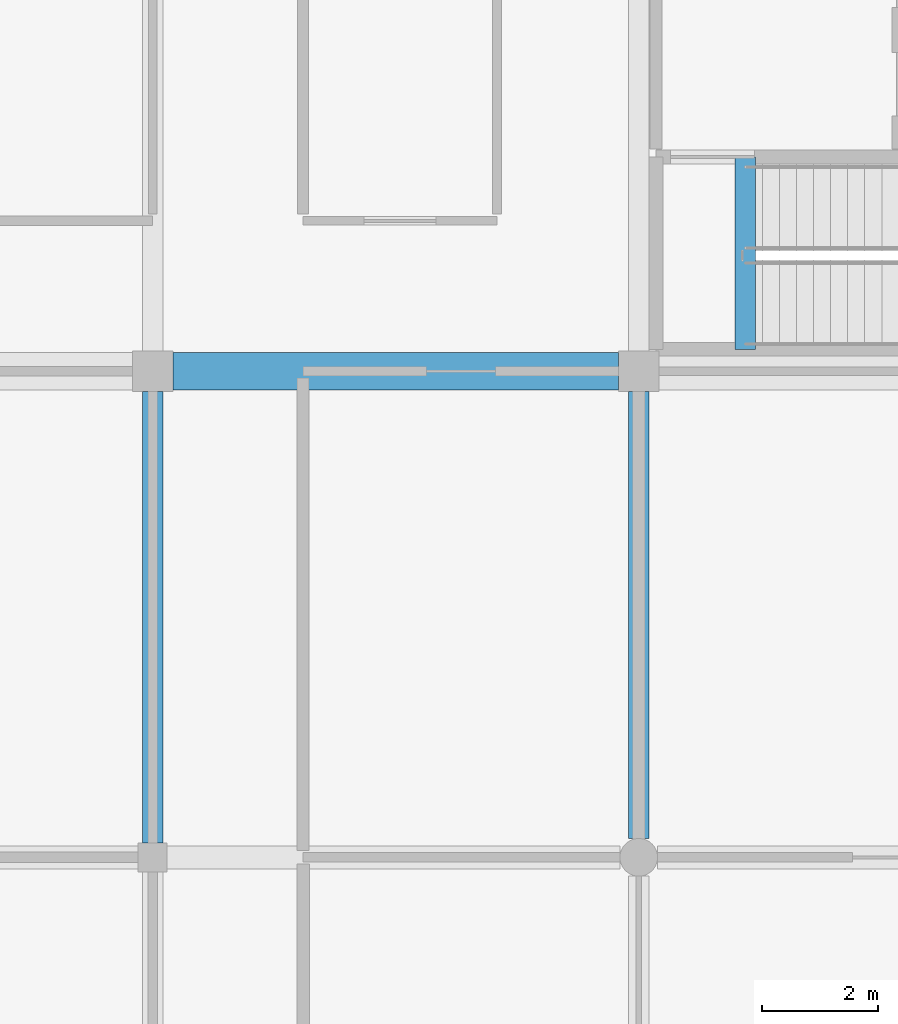
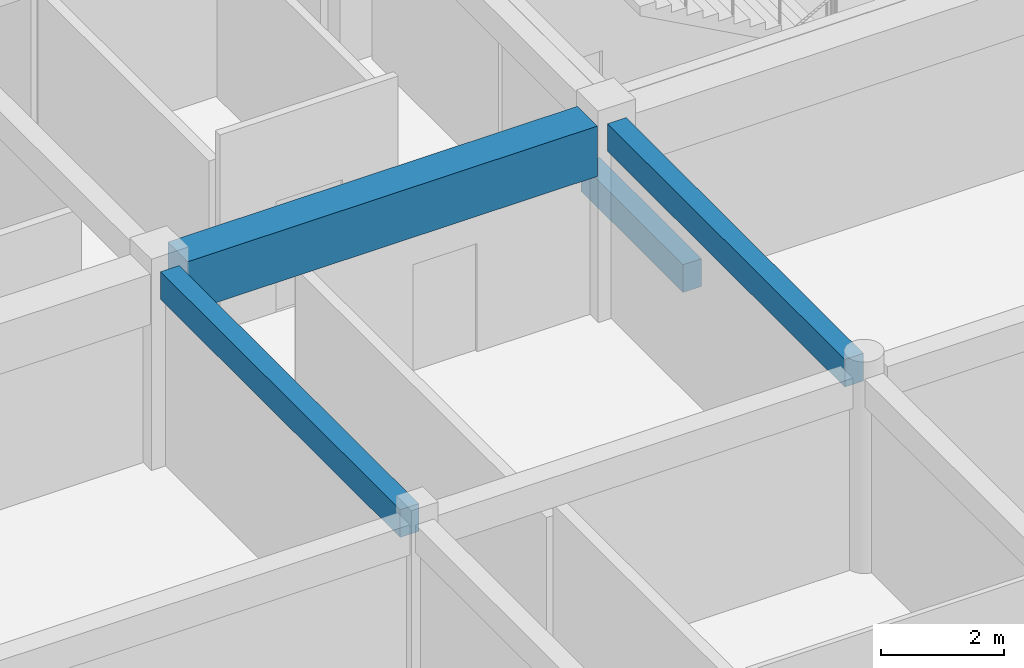
# One storey, part 34 of 119: 4 beams.
"""IFC4 building model written with IfcOpenShell, lengths in metres."""

from ifc_helpers import new_model, si_unit, direction, frame, origin, origin_2d, place, context, subcontext, project, spatial, rectangle, extrude, material, material_profile, profile_set, type_object, element, save


model = new_model("IFC4")

# Units and contexts
model_context = context("Model", 3, precision=1e-05, world=origin(), true_north=direction((0.0, 1.0)))
body_context = subcontext(model_context, "Body", "Model", "MODEL_VIEW")
ifc_project = project(units=[si_unit("LENGTHUNIT", "METRE"), si_unit("AREAUNIT", "SQUARE_METRE"), si_unit("VOLUMEUNIT", "CUBIC_METRE"), si_unit("PLANEANGLEUNIT", "RADIAN"), si_unit("MASSUNIT", "GRAM", prefix="KILO")], contexts=[model_context])

# Site, building, storey
site_placement = place(None, origin())
site = spatial("IfcSite", under=ifc_project, at=site_placement, CompositionType="ELEMENT")
building_placement = place(site_placement, origin())
building = spatial("IfcBuilding", under=site, at=building_placement, Name="Bramfleet General Hospital", CompositionType="ELEMENT")
storey_placement = place(building_placement, frame((0.0, 0.0, 14.39990234375)))
storey = spatial("IfcBuildingStorey", under=building, at=storey_placement, Name="L03", CompositionType="ELEMENT", Elevation=14.39990234375)

# Beams
ifc_material_1 = material(Name="Concrete C35/45", Category="concrete")
ifc_material_profile_1 = material_profile(ifc_material_1, rectangle(XDim=0.35009765625, YDim=0.550048828125, at=origin_2d()), Name="RC BM 550x350")
ifc_profile_set_1 = profile_set([ifc_material_profile_1], Name="Concrete C35/45")
beam_type_1 = type_object("IfcBeamType", Name="BM-RC550", PredefinedType="BEAM", material=ifc_profile_set_1)
beam_1_placement = place(storey_placement, frame((67.199951171875, 84.25, 3.614990234375), z_axis=(0.0, 1.0, 0.0), x_axis=(-1.0, 0.0, 0.0)))
element("IfcBeam", 1, at=beam_1_placement, inside=storey, type_object=beam_type_1, Name="L03 Grid Beam Y 08-10", PredefinedType="BEAM", context=body_context, shape_type="SweptSolid", body=[
    extrude(rectangle(XDim=0.35009765625, YDim=0.550048828125, at=origin_2d()), origin(), (0.0, 0.0, 1.0), 7.800048828125),
])
beam_2_placement = place(storey_placement, frame((75.60009765625, 84.324951171875, 3.614990234375), z_axis=(0.0, 1.0, 0.0), x_axis=(-1.0, 0.0, 0.0)))
element("IfcBeam", 2, at=beam_2_placement, inside=storey, type_object=beam_type_1, Name="L03 Grid Beam Y 09-10", PredefinedType="BEAM", context=body_context, shape_type="SweptSolid", body=[
    extrude(rectangle(XDim=0.35009765625, YDim=0.550048828125, at=origin_2d()), origin(), (0.0, 0.0, 1.0), 7.72509765625),
])
beam_3_placement = place(storey_placement, frame((77.43994140625, 92.780029296875, -0.27490234375), z_axis=(0.0, 1.0, 0.0), x_axis=(-1.0, 0.0, 0.0)))
element("IfcBeam", 3, at=beam_3_placement, inside=storey, type_object=beam_type_1, Name="L03 C5 Stairwell Trimmer Beam", PredefinedType="BEAM", context=body_context, shape_type="SweptSolid", body=[
    extrude(rectangle(XDim=0.35009765625, YDim=0.550048828125, at=origin_2d()), origin(), (0.0, 0.0, 1.0), 3.320068359375),
])
ifc_material_2 = material(Name="Concrete C40/50", Category="concrete")
ifc_material_profile_2 = material_profile(ifc_material_2, rectangle(XDim=0.64990234375, YDim=1.0, at=origin_2d()), Name="RC TG 1000x650")
ifc_profile_set_2 = profile_set([ifc_material_profile_2], Name="Concrete C40/50")
beam_type_2 = type_object("IfcBeamType", Name="BM-TG1000", PredefinedType="BEAM", material=ifc_profile_set_2)
beam_4_placement = place(storey_placement, frame((67.550048828125, 92.39990234375, 3.39013671875), z_axis=(1.0, 0.0, 0.0), x_axis=(0.0, 1.0, 0.0)))
element("IfcBeam", 4, at=beam_4_placement, inside=storey, type_object=beam_type_2, Name="L03 Transfer Girder X 08-11", PredefinedType="BEAM", context=body_context, shape_type="SweptSolid", body=[
    extrude(rectangle(XDim=0.64990234375, YDim=1.0, at=origin_2d()), origin(), (0.0, 0.0, 1.0), 7.699951171875),
])

save(model, "model.ifc")
